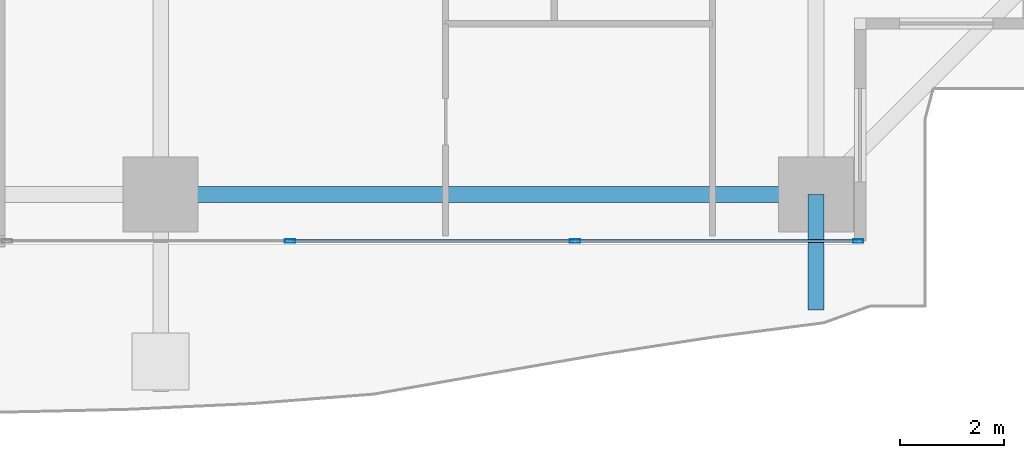
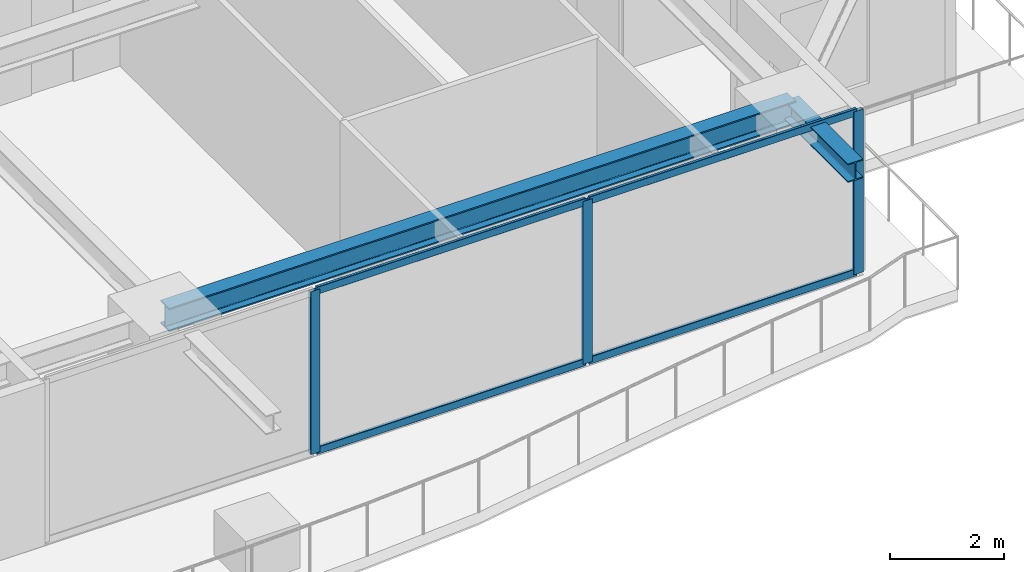
# One storey, part 10 of 39: 7 members, 2 beams, 1 element without a shape of its own.
"""IFC4 building model written with IfcOpenShell, lengths in metres."""

from ifc_helpers import new_model, si_unit, direction, frame, origin, origin_2d, place, context, subcontext, project, spatial, hollow_rectangle, i_section, extrude, source, transform, mapped, material, layer, layer_set, material_profile, profile_set, type_object, element, aggregate, save


model = new_model("IFC4")

# Units and contexts
model_context = context("Model", 3, precision=1e-05, world=origin(), true_north=direction((0.0, 1.0)))
body_context = subcontext(model_context, "Body", "Model", "MODEL_VIEW")
ifc_project = project(units=[si_unit("LENGTHUNIT", "METRE"), si_unit("AREAUNIT", "SQUARE_METRE"), si_unit("VOLUMEUNIT", "CUBIC_METRE"), si_unit("PLANEANGLEUNIT", "RADIAN"), si_unit("MASSUNIT", "GRAM", prefix="KILO")], contexts=[model_context])

# Site, building, storey
site_placement = place(None, origin())
site = spatial("IfcSite", under=ifc_project, at=site_placement, CompositionType="ELEMENT")
building_placement = place(site_placement, origin())
building = spatial("IfcBuilding", under=site, at=building_placement, Name="Serunith Strait Residences", CompositionType="ELEMENT")
storey_placement = place(building_placement, frame((0.0, 0.0, 60.449951171875)))
storey = spatial("IfcBuildingStorey", under=building, at=storey_placement, Name="L14", CompositionType="ELEMENT", Elevation=60.449951171875)

# Beams
ifc_material_1 = material(Name="Steel S355J2", Category="steel")
ifc_material_profile_1 = material_profile(ifc_material_1, i_section(OverallWidth=0.300048828125, OverallDepth=0.5, WebThickness=0.014404296875, FlangeThickness=0.028076171875, FilletRadius=0.027099609375, at=origin_2d()), Name="HEB 500")
ifc_profile_set_1 = profile_set([ifc_material_profile_1], Name="Steel S355J2")
beam_type_1 = type_object("IfcBeamType", Name="BM-HEB500", PredefinedType="BEAM", material=ifc_profile_set_1)
shared_shape_1 = source(origin(), body_context, "Body", "SweptSolid", [
    extrude(i_section(OverallWidth=0.300048828125, OverallDepth=0.5, WebThickness=0.014404296875, FlangeThickness=0.028076171875, FilletRadius=0.027099609375, at=origin_2d()), origin(), (0.0, 0.0, 1.0), 12.650146484375),
])
beam_1_placement = place(storey_placement, frame((36.89990234375, 1.10009765625, 3.237060546875), z_axis=(1.0, 0.0, 0.0), x_axis=(0.0, 1.0, 0.0)))
element("IfcBeam", 1, at=beam_1_placement, inside=storey, type_object=beam_type_1, Name="L14 Perimeter Ring Beam 03", PredefinedType="BEAM", context=body_context, shape_type="MappedRepresentation", body=[
    mapped(shared_shape_1, transform((0.0, 0.0, 0.0), scale=1.0)),
])
ifc_material_profile_2 = material_profile(ifc_material_1, i_section(OverallWidth=0.300048828125, OverallDepth=0.39990234375, WebThickness=0.013427734375, FlangeThickness=0.02392578125, FilletRadius=0.027099609375, at=origin_2d()), Name="HEB 400")
ifc_profile_set_2 = profile_set([ifc_material_profile_2], Name="Steel S355J2")
beam_type_2 = type_object("IfcBeamType", Name="BM-HEB400", PredefinedType="BEAM", material=ifc_profile_set_2)
shared_shape_2 = source(origin(), body_context, "Body", "SweptSolid", [
    extrude(i_section(OverallWidth=0.300048828125, OverallDepth=0.39990234375, WebThickness=0.013427734375, FlangeThickness=0.02392578125, FilletRadius=0.027099609375, at=origin_2d()), origin(), (0.0, 0.0, 1.0), 2.232421875),
])
beam_2_placement = place(storey_placement, frame((49.550048828125, 1.10009765625, 3.257080078125), z_axis=(0.0, -1.0, 0.0), x_axis=(1.0, 0.0, 0.0)))
element("IfcBeam", 2, at=beam_2_placement, inside=storey, type_object=beam_type_2, Name="L15 Cantilevered Balcony Rib TC-S4", PredefinedType="BEAM", context=body_context, shape_type="MappedRepresentation", body=[
    mapped(shared_shape_2, transform((0.0, 0.0, 0.0), scale=1.0)),
])

# Curtain wall, members
ifc_material_2 = material(Name="Pale-Champagne Anodised Aluminium", Category="aluminium")
ifc_layer = layer(ifc_material_2, 0.199951171875, Name="Pale-Champagne Anodised Aluminium")
ifc_layer_set = layer_set([ifc_layer], Name="Pale-Champagne Anodised Aluminium")
curtain_wall_type = type_object("IfcCurtainWallType", Name="CW-SYS1", PredefinedType="NOTDEFINED", material=ifc_layer_set)
curtain_wall_placement = place(storey_placement, origin())
curtain_wall = element("IfcCurtainWall", 3, at=curtain_wall_placement, inside=storey, type_object=curtain_wall_type, Name="L14 S Unitised Fritted Curtain Wall", PredefinedType="NOTDEFINED")
ifc_material_profile_3 = material_profile(ifc_material_2, hollow_rectangle(XDim=0.070068359375, YDim=0.199951171875, WallThickness=0.00390625, InnerFilletRadius=0.006103515625, OuterFilletRadius=0.010009765625, at=origin_2d()), Name="ALU 200x70x4")
ifc_profile_set_3 = profile_set([ifc_material_profile_3], Name="Pale-Champagne Anodised Aluminium")
member_type_1 = type_object("IfcMemberType", Name="CW-SYS1-MULL", PredefinedType="MULLION", material=ifc_profile_set_3)
shared_shape_3 = source(origin(), body_context, "Body", "SweptSolid", [
    extrude(hollow_rectangle(XDim=0.070068359375, YDim=0.199951171875, WallThickness=0.00390625, InnerFilletRadius=0.006103515625, OuterFilletRadius=0.010009765625, at=origin_2d()), origin(), (0.0, 0.0, 1.0), 3.47509765625),
])
member_1_placement = place(storey_placement, frame((39.39990234375, 0.199951171875, 0.0), z_axis=(0.0, 0.0, 1.0), x_axis=(0.0, 1.0, 0.0)))
member_1 = element("IfcMember", 4, at=member_1_placement, type_object=member_type_1, Name="CW-1 mullion 2", PredefinedType="MULLION", context=body_context, shape_type="MappedRepresentation", body=[
    mapped(shared_shape_3, transform((0.0, 0.0, 0.0), scale=1.0)),
])
member_2_placement = place(storey_placement, frame((44.89990234375, 0.199951171875, 0.0), z_axis=(0.0, 0.0, 1.0), x_axis=(0.0, 1.0, 0.0)))
member_2 = element("IfcMember", 5, at=member_2_placement, type_object=member_type_1, Name="CW-1 mullion 3", PredefinedType="MULLION", context=body_context, shape_type="MappedRepresentation", body=[
    mapped(shared_shape_3, transform((0.0, 0.0, 0.0), scale=1.0)),
])
member_3_placement = place(storey_placement, frame((50.364990234375, 0.199951171875, 0.0), z_axis=(0.0, 0.0, 1.0), x_axis=(0.0, 1.0, 0.0)))
member_3 = element("IfcMember", 6, at=member_3_placement, type_object=member_type_1, Name="CW-1 mullion 4", PredefinedType="MULLION", context=body_context, shape_type="MappedRepresentation", body=[
    mapped(shared_shape_3, transform((0.0, 0.0, 0.0), scale=1.0)),
])
ifc_material_profile_4 = material_profile(ifc_material_2, hollow_rectangle(XDim=0.06005859375, YDim=0.159912109375, WallThickness=0.00341796875, InnerFilletRadius=0.00537109375, OuterFilletRadius=0.0087890625, at=origin_2d()), Name="ALU 160x60x3.5")
ifc_profile_set_4 = profile_set([ifc_material_profile_4], Name="Pale-Champagne Anodised Aluminium")
member_type_2 = type_object("IfcMemberType", Name="CW-SYS1-TRAN", PredefinedType="USERDEFINED", material=ifc_profile_set_4)
shared_shape_4 = source(origin(), body_context, "Body", "SweptSolid", [
    extrude(hollow_rectangle(XDim=0.06005859375, YDim=0.159912109375, WallThickness=0.00341796875, InnerFilletRadius=0.00537109375, OuterFilletRadius=0.0087890625, at=origin_2d()), origin(), (0.0, 0.0, 1.0), 5.39501953125),
])
member_4_placement = place(storey_placement, frame((44.93505859375, 0.199951171875, 0.030029296875), z_axis=(1.0, 0.0, 0.0), x_axis=(0.0, 1.0, 0.0)))
member_4 = element("IfcMember", 7, at=member_4_placement, type_object=member_type_2, Name="CW-1 transom 3.1", ObjectType="TRANSOM", PredefinedType="USERDEFINED", context=body_context, shape_type="MappedRepresentation", body=[
    mapped(shared_shape_4, transform((0.0, 0.0, 0.0), scale=1.0)),
])
member_5_placement = place(storey_placement, frame((44.93505859375, 0.199951171875, 3.445068359375), z_axis=(1.0, 0.0, 0.0), x_axis=(0.0, 1.0, 0.0)))
member_5 = element("IfcMember", 8, at=member_5_placement, type_object=member_type_2, Name="CW-1 transom 3.2", ObjectType="TRANSOM", PredefinedType="USERDEFINED", context=body_context, shape_type="MappedRepresentation", body=[
    mapped(shared_shape_4, transform((0.0, 0.0, 0.0), scale=1.0)),
])
shared_shape_5 = source(origin(), body_context, "Body", "SweptSolid", [
    extrude(hollow_rectangle(XDim=0.06005859375, YDim=0.159912109375, WallThickness=0.00341796875, InnerFilletRadius=0.00537109375, OuterFilletRadius=0.0087890625, at=origin_2d()), origin(), (0.0, 0.0, 1.0), 5.429931640625),
])
member_6_placement = place(storey_placement, frame((39.43505859375, 0.199951171875, 0.030029296875), z_axis=(1.0, 0.0, 0.0), x_axis=(0.0, 1.0, 0.0)))
member_6 = element("IfcMember", 9, at=member_6_placement, type_object=member_type_2, Name="CW-1 transom 2.1", ObjectType="TRANSOM", PredefinedType="USERDEFINED", context=body_context, shape_type="MappedRepresentation", body=[
    mapped(shared_shape_5, transform((0.0, 0.0, 0.0), scale=1.0)),
])
member_7_placement = place(storey_placement, frame((39.43505859375, 0.199951171875, 3.445068359375), z_axis=(1.0, 0.0, 0.0), x_axis=(0.0, 1.0, 0.0)))
member_7 = element("IfcMember", 10, at=member_7_placement, type_object=member_type_2, Name="CW-1 transom 2.2", ObjectType="TRANSOM", PredefinedType="USERDEFINED", context=body_context, shape_type="MappedRepresentation", body=[
    mapped(shared_shape_5, transform((0.0, 0.0, 0.0), scale=1.0)),
])
aggregate(curtain_wall, [member_1, member_2, member_3, member_6, member_7, member_4, member_5])

save(model, "model.ifc")
